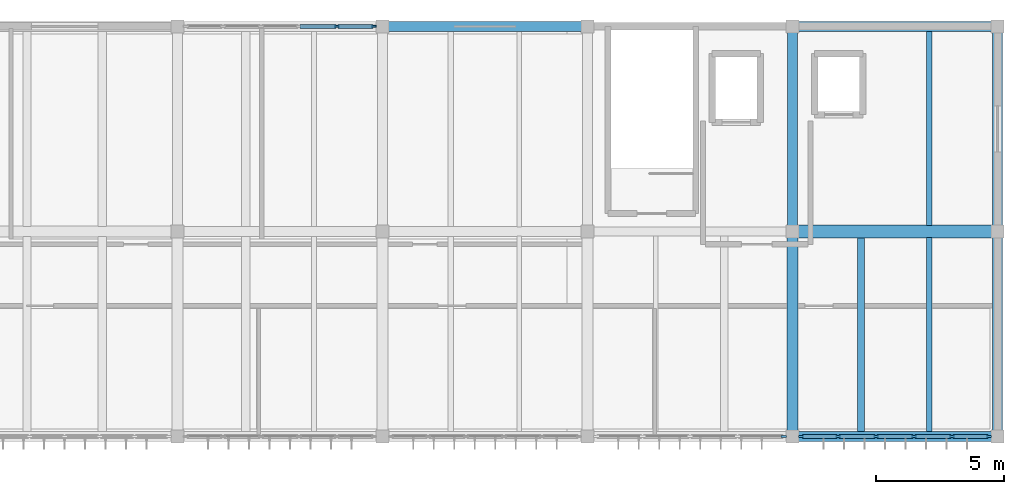
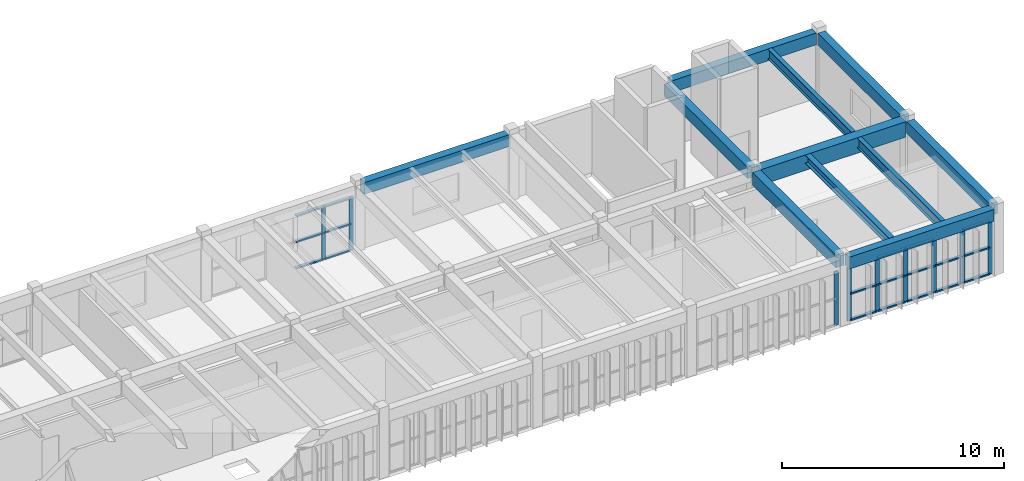
# One storey, part 6 of 12: 30 members, 11 beams, 3 elements without a shape of their own.
"""IFC4 building model written with IfcOpenShell, lengths in metres."""

from ifc_helpers import new_model, si_unit, direction, frame, origin, origin_2d, place, context, subcontext, project, spatial, rectangle, i_section, extrude, material, material_profile, profile_set, type_object, element, aggregate, save


model = new_model("IFC4")

# Units and contexts
model_context = context("Model", 3, precision=1e-05, world=origin(), true_north=direction((0.0, 1.0)))
body_context = subcontext(model_context, "Body", "Model", "MODEL_VIEW")
ifc_project = project(units=[si_unit("LENGTHUNIT", "METRE"), si_unit("AREAUNIT", "SQUARE_METRE"), si_unit("VOLUMEUNIT", "CUBIC_METRE"), si_unit("PLANEANGLEUNIT", "RADIAN"), si_unit("MASSUNIT", "GRAM", prefix="KILO")], contexts=[model_context])

# Site, building, storey
site_placement = place(None, origin())
site = spatial("IfcSite", under=ifc_project, at=site_placement, CompositionType="ELEMENT")
building_placement = place(site_placement, origin())
building = spatial("IfcBuilding", under=site, at=building_placement, Name="Tlaxcora Railside Police Headquarters", CompositionType="ELEMENT")
storey_placement = place(building_placement, frame((0.0, 0.0, 29.699951171875)))
storey = spatial("IfcBuildingStorey", under=building, at=storey_placement, Name="L07", CompositionType="ELEMENT", Elevation=29.699951171875)

# Curtain wall, members
ifc_material_1 = material(Name="Thermally broken low-E insulated glazing", Category="glass")
curtain_wall_type_1 = type_object("IfcCurtainWallType", Name="Unitised Curtain Wall Assembly CW-23", PredefinedType="NOTDEFINED", material=ifc_material_1)
curtain_wall_1_placement = place(storey_placement, origin())
curtain_wall_1 = element("IfcCurtainWall", 1, at=curtain_wall_1_placement, inside=storey, type_object=curtain_wall_type_1, Name="V5 L07 curtain wall 140", PredefinedType="NOTDEFINED")
ifc_material_2 = material(Name="Anodised aluminium framing", Category="aluminium")
ifc_material_profile_1 = material_profile(ifc_material_2, rectangle(XDim=0.080078125, YDim=0.219970703125, at=origin_2d()), Name="AL80X220")
ifc_profile_set_1 = profile_set([ifc_material_profile_1], Name="Anodised aluminium framing")
member_type_1 = type_object("IfcMemberType", Name="Curtain Wall Mullion CW-31", PredefinedType="MULLION", material=ifc_profile_set_1)
member_1_placement = place(storey_placement, frame((78.340087890625, 76.800048828125, 0.0), z_axis=(0.0, 0.0, 1.0), x_axis=(0.0, 1.0, 0.0)))
member_1 = element("IfcMember", 2, at=member_1_placement, type_object=member_type_1, Name="CW mullion 1", PredefinedType="MULLION", context=body_context, shape_type="SweptSolid", body=[
    extrude(rectangle(XDim=0.080078125, YDim=0.219970703125, at=origin_2d()), origin(), (0.0, 0.0, 1.0), 2.9599609375),
])
member_2_placement = place(storey_placement, frame((79.780029296875, 76.800048828125, 0.0), z_axis=(0.0, 0.0, 1.0), x_axis=(0.0, 1.0, 0.0)))
member_2 = element("IfcMember", 3, at=member_2_placement, type_object=member_type_1, Name="CW mullion 2", PredefinedType="MULLION", context=body_context, shape_type="SweptSolid", body=[
    extrude(rectangle(XDim=0.080078125, YDim=0.219970703125, at=origin_2d()), origin(), (0.0, 0.0, 1.0), 2.9599609375),
])
member_3_placement = place(storey_placement, frame((81.260009765625, 76.800048828125, 0.0), z_axis=(0.0, 0.0, 1.0), x_axis=(0.0, 1.0, 0.0)))
member_3 = element("IfcMember", 4, at=member_3_placement, type_object=member_type_1, Name="CW mullion 3", PredefinedType="MULLION", context=body_context, shape_type="SweptSolid", body=[
    extrude(rectangle(XDim=0.080078125, YDim=0.219970703125, at=origin_2d()), origin(), (0.0, 0.0, 1.0), 2.9599609375),
])
member_4_placement = place(storey_placement, frame((82.739990234375, 76.800048828125, 0.0), z_axis=(0.0, 0.0, 1.0), x_axis=(0.0, 1.0, 0.0)))
member_4 = element("IfcMember", 5, at=member_4_placement, type_object=member_type_1, Name="CW mullion 4", PredefinedType="MULLION", context=body_context, shape_type="SweptSolid", body=[
    extrude(rectangle(XDim=0.080078125, YDim=0.219970703125, at=origin_2d()), origin(), (0.0, 0.0, 1.0), 2.9599609375),
])
member_5_placement = place(storey_placement, frame((84.219970703125, 76.800048828125, 0.0), z_axis=(0.0, 0.0, 1.0), x_axis=(0.0, 1.0, 0.0)))
member_5 = element("IfcMember", 6, at=member_5_placement, type_object=member_type_1, Name="CW mullion 5", PredefinedType="MULLION", context=body_context, shape_type="SweptSolid", body=[
    extrude(rectangle(XDim=0.080078125, YDim=0.219970703125, at=origin_2d()), origin(), (0.0, 0.0, 1.0), 2.9599609375),
])
member_6_placement = place(storey_placement, frame((85.659912109375, 76.800048828125, 0.0), z_axis=(0.0, 0.0, 1.0), x_axis=(0.0, 1.0, 0.0)))
member_6 = element("IfcMember", 7, at=member_6_placement, type_object=member_type_1, Name="CW mullion 6", PredefinedType="MULLION", context=body_context, shape_type="SweptSolid", body=[
    extrude(rectangle(XDim=0.080078125, YDim=0.219970703125, at=origin_2d()), origin(), (0.0, 0.0, 1.0), 2.9599609375),
])

curtain_wall_type_2 = type_object("IfcCurtainWallType", Name="Unitised Curtain Wall Assembly CW-38", PredefinedType="NOTDEFINED", material=ifc_material_1)
curtain_wall_2_placement = place(storey_placement, origin())
curtain_wall_2 = element("IfcCurtainWall", 8, at=curtain_wall_2_placement, inside=storey, type_object=curtain_wall_type_2, Name="V5 L07 curtain wall 141", PredefinedType="NOTDEFINED")
ifc_material_profile_2 = material_profile(ifc_material_2, rectangle(XDim=0.074951171875, YDim=0.205078125, at=origin_2d()), Name="AL75X205")
ifc_profile_set_2 = profile_set([ifc_material_profile_2], Name="Anodised aluminium framing")
member_type_2 = type_object("IfcMemberType", Name="Curtain Wall Mullion CW-32", PredefinedType="MULLION", material=ifc_profile_set_2)
member_7_placement = place(storey_placement, frame((61.66259765625, 92.800048828125, 0.0), z_axis=(0.0, 0.0, 1.0), x_axis=(0.0, -1.0, 0.0)))
member_7 = element("IfcMember", 9, at=member_7_placement, type_object=member_type_2, Name="CW mullion 1", PredefinedType="MULLION", context=body_context, shape_type="SweptSolid", body=[
    extrude(rectangle(XDim=0.074951171875, YDim=0.205078125, at=origin_2d()), origin(), (0.0, 0.0, 1.0), 2.9599609375),
])
member_8_placement = place(storey_placement, frame((60.219970703125, 92.800048828125, 0.0), z_axis=(0.0, 0.0, 1.0), x_axis=(0.0, -1.0, 0.0)))
member_8 = element("IfcMember", 10, at=member_8_placement, type_object=member_type_2, Name="CW mullion 2", PredefinedType="MULLION", context=body_context, shape_type="SweptSolid", body=[
    extrude(rectangle(XDim=0.074951171875, YDim=0.205078125, at=origin_2d()), origin(), (0.0, 0.0, 1.0), 2.9599609375),
])

# Curtain wall, member
curtain_wall_type_3 = type_object("IfcCurtainWallType", Name="Unitised Curtain Wall Assembly CW-83", PredefinedType="NOTDEFINED", material=ifc_material_1)
curtain_wall_3_placement = place(storey_placement, origin())
curtain_wall_3 = element("IfcCurtainWall", 11, at=curtain_wall_3_placement, inside=storey, type_object=curtain_wall_type_3, Name="V5 L07 curtain wall 139", PredefinedType="NOTDEFINED")
ifc_material_profile_3 = material_profile(ifc_material_2, rectangle(XDim=0.080078125, YDim=0.2099609375, at=origin_2d()), Name="AL80X210")
ifc_profile_set_3 = profile_set([ifc_material_profile_3], Name="Anodised aluminium framing")
member_type_3 = type_object("IfcMemberType", Name="Curtain Wall Mullion CW-76", PredefinedType="MULLION", material=ifc_profile_set_3)
member_9_placement = place(storey_placement, frame((77.659912109375, 76.800048828125, 0.0), z_axis=(0.0, 0.0, 1.0), x_axis=(0.0, 1.0, 0.0)))
member_9 = element("IfcMember", 12, at=member_9_placement, type_object=member_type_3, Name="CW mullion 5", PredefinedType="MULLION", context=body_context, shape_type="SweptSolid", body=[
    extrude(rectangle(XDim=0.080078125, YDim=0.2099609375, at=origin_2d()), origin(), (0.0, 0.0, 1.0), 2.9599609375),
])
aggregate(curtain_wall_3, [member_9])

# Member
ifc_material_profile_4 = material_profile(ifc_material_2, rectangle(XDim=0.155029296875, YDim=0.074951171875, at=origin_2d()), Name="AL75X155")
ifc_profile_set_4 = profile_set([ifc_material_profile_4], Name="Anodised aluminium framing")
member_type_4 = type_object("IfcMemberType", Name="Curtain Wall Transom CW-30", PredefinedType="USERDEFINED", material=ifc_profile_set_4)
member_10_placement = place(storey_placement, frame((61.625, 92.800048828125, 0.03759765625), z_axis=(-1.0, 0.0, 0.0), x_axis=(0.0, -1.0, 0.0)))
member_10 = element("IfcMember", 13, at=member_10_placement, type_object=member_type_4, Name="CW transom 1.1", ObjectType="TRANSOM", PredefinedType="USERDEFINED", context=body_context, shape_type="SweptSolid", body=[
    extrude(rectangle(XDim=0.155029296875, YDim=0.074951171875, at=origin_2d()), origin(), (0.0, 0.0, 1.0), 1.367431640625),
])

member_11_placement = place(storey_placement, frame((61.625, 92.800048828125, 1.489990234375), z_axis=(-1.0, 0.0, 0.0), x_axis=(0.0, -1.0, 0.0)))
member_11 = element("IfcMember", 14, at=member_11_placement, type_object=member_type_4, Name="CW transom 1.2", ObjectType="TRANSOM", PredefinedType="USERDEFINED", context=body_context, shape_type="SweptSolid", body=[
    extrude(rectangle(XDim=0.155029296875, YDim=0.074951171875, at=origin_2d()), origin(), (0.0, 0.0, 1.0), 1.367431640625),
])

member_12_placement = place(storey_placement, frame((61.625, 92.800048828125, 2.922607421875), z_axis=(-1.0, 0.0, 0.0), x_axis=(0.0, -1.0, 0.0)))
member_12 = element("IfcMember", 15, at=member_12_placement, type_object=member_type_4, Name="CW transom 1.3", ObjectType="TRANSOM", PredefinedType="USERDEFINED", context=body_context, shape_type="SweptSolid", body=[
    extrude(rectangle(XDim=0.155029296875, YDim=0.074951171875, at=origin_2d()), origin(), (0.0, 0.0, 1.0), 1.367431640625),
])

member_13_placement = place(storey_placement, frame((60.1826171875, 92.800048828125, 0.03759765625), z_axis=(-1.0, 0.0, 0.0), x_axis=(0.0, -1.0, 0.0)))
member_13 = element("IfcMember", 16, at=member_13_placement, type_object=member_type_4, Name="CW transom 2.1", ObjectType="TRANSOM", PredefinedType="USERDEFINED", context=body_context, shape_type="SweptSolid", body=[
    extrude(rectangle(XDim=0.155029296875, YDim=0.074951171875, at=origin_2d()), origin(), (0.0, 0.0, 1.0), 1.405029296875),
])

member_14_placement = place(storey_placement, frame((60.1826171875, 92.800048828125, 1.489990234375), z_axis=(-1.0, 0.0, 0.0), x_axis=(0.0, -1.0, 0.0)))
member_14 = element("IfcMember", 17, at=member_14_placement, type_object=member_type_4, Name="CW transom 2.2", ObjectType="TRANSOM", PredefinedType="USERDEFINED", context=body_context, shape_type="SweptSolid", body=[
    extrude(rectangle(XDim=0.155029296875, YDim=0.074951171875, at=origin_2d()), origin(), (0.0, 0.0, 1.0), 1.405029296875),
])

member_15_placement = place(storey_placement, frame((60.1826171875, 92.800048828125, 2.922607421875), z_axis=(-1.0, 0.0, 0.0), x_axis=(0.0, -1.0, 0.0)))
member_15 = element("IfcMember", 18, at=member_15_placement, type_object=member_type_4, Name="CW transom 2.3", ObjectType="TRANSOM", PredefinedType="USERDEFINED", context=body_context, shape_type="SweptSolid", body=[
    extrude(rectangle(XDim=0.155029296875, YDim=0.074951171875, at=origin_2d()), origin(), (0.0, 0.0, 1.0), 1.405029296875),
])

aggregate(curtain_wall_2, [member_7, member_8, member_10, member_11, member_12, member_13, member_14, member_15])

ifc_material_profile_5 = material_profile(ifc_material_2, rectangle(XDim=0.1650390625, YDim=0.080078125, at=origin_2d()), Name="AL80X165")
ifc_profile_set_5 = profile_set([ifc_material_profile_5], Name="Anodised aluminium framing")
member_type_5 = type_object("IfcMemberType", Name="Curtain Wall Transom CW-62", PredefinedType="USERDEFINED", material=ifc_profile_set_5)
member_16_placement = place(storey_placement, frame((78.3798828125, 76.800048828125, 0.0400390625), z_axis=(1.0, 0.0, 0.0), x_axis=(0.0, 1.0, 0.0)))
member_16 = element("IfcMember", 19, at=member_16_placement, type_object=member_type_5, Name="CW transom 1.1", ObjectType="TRANSOM", PredefinedType="USERDEFINED", context=body_context, shape_type="SweptSolid", body=[
    extrude(rectangle(XDim=0.1650390625, YDim=0.080078125, at=origin_2d()), origin(), (0.0, 0.0, 1.0), 1.360107421875),
])

member_17_placement = place(storey_placement, frame((78.3798828125, 76.800048828125, 1.489990234375), z_axis=(1.0, 0.0, 0.0), x_axis=(0.0, 1.0, 0.0)))
member_17 = element("IfcMember", 20, at=member_17_placement, type_object=member_type_5, Name="CW transom 1.2", ObjectType="TRANSOM", PredefinedType="USERDEFINED", context=body_context, shape_type="SweptSolid", body=[
    extrude(rectangle(XDim=0.1650390625, YDim=0.080078125, at=origin_2d()), origin(), (0.0, 0.0, 1.0), 1.360107421875),
])

member_18_placement = place(storey_placement, frame((78.3798828125, 76.800048828125, 2.920166015625), z_axis=(1.0, 0.0, 0.0), x_axis=(0.0, 1.0, 0.0)))
member_18 = element("IfcMember", 21, at=member_18_placement, type_object=member_type_5, Name="CW transom 1.3", ObjectType="TRANSOM", PredefinedType="USERDEFINED", context=body_context, shape_type="SweptSolid", body=[
    extrude(rectangle(XDim=0.1650390625, YDim=0.080078125, at=origin_2d()), origin(), (0.0, 0.0, 1.0), 1.360107421875),
])

member_19_placement = place(storey_placement, frame((79.820068359375, 76.800048828125, 0.0400390625), z_axis=(1.0, 0.0, 0.0), x_axis=(0.0, 1.0, 0.0)))
member_19 = element("IfcMember", 22, at=member_19_placement, type_object=member_type_5, Name="CW transom 2.1", ObjectType="TRANSOM", PredefinedType="USERDEFINED", context=body_context, shape_type="SweptSolid", body=[
    extrude(rectangle(XDim=0.1650390625, YDim=0.080078125, at=origin_2d()), origin(), (0.0, 0.0, 1.0), 1.39990234375),
])

member_20_placement = place(storey_placement, frame((79.820068359375, 76.800048828125, 1.489990234375), z_axis=(1.0, 0.0, 0.0), x_axis=(0.0, 1.0, 0.0)))
member_20 = element("IfcMember", 23, at=member_20_placement, type_object=member_type_5, Name="CW transom 2.2", ObjectType="TRANSOM", PredefinedType="USERDEFINED", context=body_context, shape_type="SweptSolid", body=[
    extrude(rectangle(XDim=0.1650390625, YDim=0.080078125, at=origin_2d()), origin(), (0.0, 0.0, 1.0), 1.39990234375),
])

member_21_placement = place(storey_placement, frame((79.820068359375, 76.800048828125, 2.920166015625), z_axis=(1.0, 0.0, 0.0), x_axis=(0.0, 1.0, 0.0)))
member_21 = element("IfcMember", 24, at=member_21_placement, type_object=member_type_5, Name="CW transom 2.3", ObjectType="TRANSOM", PredefinedType="USERDEFINED", context=body_context, shape_type="SweptSolid", body=[
    extrude(rectangle(XDim=0.1650390625, YDim=0.080078125, at=origin_2d()), origin(), (0.0, 0.0, 1.0), 1.39990234375),
])

member_22_placement = place(storey_placement, frame((81.300048828125, 76.800048828125, 0.0400390625), z_axis=(1.0, 0.0, 0.0), x_axis=(0.0, 1.0, 0.0)))
member_22 = element("IfcMember", 25, at=member_22_placement, type_object=member_type_5, Name="CW transom 3.1", ObjectType="TRANSOM", PredefinedType="USERDEFINED", context=body_context, shape_type="SweptSolid", body=[
    extrude(rectangle(XDim=0.1650390625, YDim=0.080078125, at=origin_2d()), origin(), (0.0, 0.0, 1.0), 1.39990234375),
])

member_23_placement = place(storey_placement, frame((81.300048828125, 76.800048828125, 1.489990234375), z_axis=(1.0, 0.0, 0.0), x_axis=(0.0, 1.0, 0.0)))
member_23 = element("IfcMember", 26, at=member_23_placement, type_object=member_type_5, Name="CW transom 3.2", ObjectType="TRANSOM", PredefinedType="USERDEFINED", context=body_context, shape_type="SweptSolid", body=[
    extrude(rectangle(XDim=0.1650390625, YDim=0.080078125, at=origin_2d()), origin(), (0.0, 0.0, 1.0), 1.39990234375),
])

member_24_placement = place(storey_placement, frame((81.300048828125, 76.800048828125, 2.920166015625), z_axis=(1.0, 0.0, 0.0), x_axis=(0.0, 1.0, 0.0)))
member_24 = element("IfcMember", 27, at=member_24_placement, type_object=member_type_5, Name="CW transom 3.3", ObjectType="TRANSOM", PredefinedType="USERDEFINED", context=body_context, shape_type="SweptSolid", body=[
    extrude(rectangle(XDim=0.1650390625, YDim=0.080078125, at=origin_2d()), origin(), (0.0, 0.0, 1.0), 1.39990234375),
])

member_25_placement = place(storey_placement, frame((82.780029296875, 76.800048828125, 0.0400390625), z_axis=(1.0, 0.0, 0.0), x_axis=(0.0, 1.0, 0.0)))
member_25 = element("IfcMember", 28, at=member_25_placement, type_object=member_type_5, Name="CW transom 4.1", ObjectType="TRANSOM", PredefinedType="USERDEFINED", context=body_context, shape_type="SweptSolid", body=[
    extrude(rectangle(XDim=0.1650390625, YDim=0.080078125, at=origin_2d()), origin(), (0.0, 0.0, 1.0), 1.39990234375),
])

member_26_placement = place(storey_placement, frame((82.780029296875, 76.800048828125, 1.489990234375), z_axis=(1.0, 0.0, 0.0), x_axis=(0.0, 1.0, 0.0)))
member_26 = element("IfcMember", 29, at=member_26_placement, type_object=member_type_5, Name="CW transom 4.2", ObjectType="TRANSOM", PredefinedType="USERDEFINED", context=body_context, shape_type="SweptSolid", body=[
    extrude(rectangle(XDim=0.1650390625, YDim=0.080078125, at=origin_2d()), origin(), (0.0, 0.0, 1.0), 1.39990234375),
])

member_27_placement = place(storey_placement, frame((82.780029296875, 76.800048828125, 2.920166015625), z_axis=(1.0, 0.0, 0.0), x_axis=(0.0, 1.0, 0.0)))
member_27 = element("IfcMember", 30, at=member_27_placement, type_object=member_type_5, Name="CW transom 4.3", ObjectType="TRANSOM", PredefinedType="USERDEFINED", context=body_context, shape_type="SweptSolid", body=[
    extrude(rectangle(XDim=0.1650390625, YDim=0.080078125, at=origin_2d()), origin(), (0.0, 0.0, 1.0), 1.39990234375),
])

member_28_placement = place(storey_placement, frame((84.260009765625, 76.800048828125, 0.0400390625), z_axis=(1.0, 0.0, 0.0), x_axis=(0.0, 1.0, 0.0)))
member_28 = element("IfcMember", 31, at=member_28_placement, type_object=member_type_5, Name="CW transom 5.1", ObjectType="TRANSOM", PredefinedType="USERDEFINED", context=body_context, shape_type="SweptSolid", body=[
    extrude(rectangle(XDim=0.1650390625, YDim=0.080078125, at=origin_2d()), origin(), (0.0, 0.0, 1.0), 1.360107421875),
])

member_29_placement = place(storey_placement, frame((84.260009765625, 76.800048828125, 1.489990234375), z_axis=(1.0, 0.0, 0.0), x_axis=(0.0, 1.0, 0.0)))
member_29 = element("IfcMember", 32, at=member_29_placement, type_object=member_type_5, Name="CW transom 5.2", ObjectType="TRANSOM", PredefinedType="USERDEFINED", context=body_context, shape_type="SweptSolid", body=[
    extrude(rectangle(XDim=0.1650390625, YDim=0.080078125, at=origin_2d()), origin(), (0.0, 0.0, 1.0), 1.360107421875),
])

member_30_placement = place(storey_placement, frame((84.260009765625, 76.800048828125, 2.920166015625), z_axis=(1.0, 0.0, 0.0), x_axis=(0.0, 1.0, 0.0)))
member_30 = element("IfcMember", 33, at=member_30_placement, type_object=member_type_5, Name="CW transom 5.3", ObjectType="TRANSOM", PredefinedType="USERDEFINED", context=body_context, shape_type="SweptSolid", body=[
    extrude(rectangle(XDim=0.1650390625, YDim=0.080078125, at=origin_2d()), origin(), (0.0, 0.0, 1.0), 1.360107421875),
])

aggregate(curtain_wall_1, [member_1, member_2, member_3, member_4, member_5, member_6, member_16, member_17, member_18, member_19, member_20, member_21, member_22, member_23, member_24, member_25, member_26, member_27, member_28, member_29, member_30])

# Beams
ifc_material_3 = material(Name="Concrete C40/50", Category="concrete")
ifc_material_profile_6 = material_profile(ifc_material_3, rectangle(XDim=0.39990234375, YDim=0.64990234375, at=origin_2d()), Name="RC400X650")
ifc_profile_set_6 = profile_set([ifc_material_profile_6], Name="Concrete C40/50")
beam_type_1 = type_object("IfcBeamType", Name="Perimeter Spandrel Beam BM-46", PredefinedType="SPANDREL", material=ifc_profile_set_6)
for number, where, z_axis, x_axis, name in (
    (34, (78.239990234375, 76.800048828125, 3.304931640625), (1.0, 0.0, 0.0), (0.0, 1.0, 0.0), "V5 L07 X-girder Y=76.8"),
    (35, (62.239990234375, 92.800048828125, 3.304931640625), (1.0, 0.0, 0.0), (0.0, 1.0, 0.0), "V5 L07 X-girder Y=92.8"),
    (36, (78.239990234375, 92.800048828125, 3.304931640625), (1.0, 0.0, 0.0), (0.0, 1.0, 0.0), "V5 L07 X-girder Y=92.8"),
    (37, (86.0, 77.0400390625, 3.304931640625), (0.0, 1.0, 0.0), (-1.0, 0.0, 0.0), "V5 L07 Y-girder X=86.0"),
    (38, (86.0, 85.0400390625, 3.304931640625), (0.0, 1.0, 0.0), (-1.0, 0.0, 0.0), "V5 L07 Y-girder X=86.0"),
):
    element("IfcBeam", number, at=place(storey_placement, frame(where, z_axis=z_axis, x_axis=x_axis)), inside=storey, type_object=beam_type_1, Name=name, PredefinedType="SPANDREL", context=body_context, shape_type="SweptSolid", body=[
        extrude(rectangle(XDim=0.39990234375, YDim=0.64990234375, at=origin_2d()), origin(), (0.0, 0.0, 1.0), 7.52001953125),
    ])
ifc_material_profile_7 = material_profile(ifc_material_3, rectangle(XDim=0.419921875, YDim=0.699951171875, at=origin_2d()), Name="RC420X700")
ifc_profile_set_7 = profile_set([ifc_material_profile_7], Name="Concrete C40/50")
beam_type_2 = type_object("IfcBeamType", Name="Primary Frame Girder BM-35", PredefinedType="BEAM", material=ifc_profile_set_7)
beam_1_placement = place(storey_placement, frame((78.0, 77.0400390625, 3.280029296875), z_axis=(0.0, 1.0, 0.0), x_axis=(-1.0, 0.0, 0.0)))
element("IfcBeam", 39, at=beam_1_placement, inside=storey, type_object=beam_type_2, Name="V5 L07 Y-girder X=78.0", PredefinedType="BEAM", context=body_context, shape_type="SweptSolid", body=[
    extrude(rectangle(XDim=0.419921875, YDim=0.699951171875, at=origin_2d()), origin(), (0.0, 0.0, 1.0), 7.52001953125),
])
ifc_material_profile_8 = material_profile(ifc_material_3, rectangle(XDim=0.39990234375, YDim=0.64990234375, at=origin_2d()), Name="RC400X650")
ifc_profile_set_8 = profile_set([ifc_material_profile_8], Name="Concrete C40/50")
beam_type_3 = type_object("IfcBeamType", Name="Primary Frame Girder BM-41", PredefinedType="BEAM", material=ifc_profile_set_8)
beam_2_placement = place(storey_placement, frame((78.0, 85.0400390625, 3.304931640625), z_axis=(0.0, 1.0, 0.0), x_axis=(-1.0, 0.0, 0.0)))
element("IfcBeam", 40, at=beam_2_placement, inside=storey, type_object=beam_type_3, Name="V5 L07 Y-girder X=78.0", PredefinedType="BEAM", context=body_context, shape_type="SweptSolid", body=[
    extrude(rectangle(XDim=0.39990234375, YDim=0.64990234375, at=origin_2d()), origin(), (0.0, 0.0, 1.0), 7.52001953125),
])
ifc_material_profile_9 = material_profile(ifc_material_3, rectangle(XDim=0.5, YDim=0.85009765625, at=origin_2d()), Name="RC500X850")
ifc_profile_set_9 = profile_set([ifc_material_profile_9], Name="Concrete C40/50")
beam_type_4 = type_object("IfcBeamType", Name="Primary Frame Girder BM-64", PredefinedType="BEAM", material=ifc_profile_set_9)
beam_3_placement = place(storey_placement, frame((78.239990234375, 84.800048828125, 3.205078125), z_axis=(1.0, 0.0, 0.0), x_axis=(0.0, 1.0, 0.0)))
element("IfcBeam", 41, at=beam_3_placement, inside=storey, type_object=beam_type_4, Name="V5 L07 X-girder Y=84.8", PredefinedType="BEAM", context=body_context, shape_type="SweptSolid", body=[
    extrude(rectangle(XDim=0.5, YDim=0.85009765625, at=origin_2d()), origin(), (0.0, 0.0, 1.0), 7.52001953125),
])
ifc_material_4 = material(Name="Steel ASTM A992 Grade 50", Category="steel")
ifc_material_profile_10 = material_profile(ifc_material_4, i_section(OverallWidth=0.280029296875, OverallDepth=0.4619140625, WebThickness=0.0107421875, FlangeThickness=0.017333984375, at=origin_2d()), Name="W18X76")
ifc_profile_set_10 = profile_set([ifc_material_profile_10], Name="Steel ASTM A992 Grade 50")
beam_type_5 = type_object("IfcBeamType", Name="Secondary Floor Joist BM-44", PredefinedType="JOIST", material=ifc_profile_set_10)
beam_4_placement = place(storey_placement, frame((80.666748046875, 76.991943359375, 3.399169921875), z_axis=(0.0, 1.0, 0.0), x_axis=(-1.0, 0.0, 0.0)))
element("IfcBeam", 42, at=beam_4_placement, inside=storey, type_object=beam_type_5, Name="V5 L07 floor joist X=80.67", PredefinedType="JOIST", context=body_context, shape_type="SweptSolid", body=[
    extrude(i_section(OverallWidth=0.280029296875, OverallDepth=0.4619140625, WebThickness=0.0107421875, FlangeThickness=0.017333984375, at=origin_2d()), origin(), (0.0, 0.0, 1.0), 7.566162109375),
])
ifc_material_profile_11 = material_profile(ifc_material_4, i_section(OverallWidth=0.214111328125, OverallDepth=0.549072265625, WebThickness=0.0146484375, FlangeThickness=0.023681640625, at=origin_2d()), Name="W21X93")
ifc_profile_set_11 = profile_set([ifc_material_profile_11], Name="Steel ASTM A992 Grade 50")
beam_type_6 = type_object("IfcBeamType", Name="Secondary Floor Joist BM-97", PredefinedType="JOIST", material=ifc_profile_set_11)
beam_5_placement = place(storey_placement, frame((83.333251953125, 76.991943359375, 3.35546875), z_axis=(0.0, 1.0, 0.0), x_axis=(-1.0, 0.0, 0.0)))
element("IfcBeam", 43, at=beam_5_placement, inside=storey, type_object=beam_type_6, Name="V5 L07 floor joist X=83.33", PredefinedType="JOIST", context=body_context, shape_type="SweptSolid", body=[
    extrude(i_section(OverallWidth=0.214111328125, OverallDepth=0.549072265625, WebThickness=0.0146484375, FlangeThickness=0.023681640625, at=origin_2d()), origin(), (0.0, 0.0, 1.0), 7.566162109375),
])
beam_6_placement = place(storey_placement, frame((83.333251953125, 85.0419921875, 3.35546875), z_axis=(0.0, 1.0, 0.0), x_axis=(-1.0, 0.0, 0.0)))
element("IfcBeam", 44, at=beam_6_placement, inside=storey, type_object=beam_type_6, Name="V5 L07 floor joist X=83.33", PredefinedType="JOIST", context=body_context, shape_type="SweptSolid", body=[
    extrude(i_section(OverallWidth=0.214111328125, OverallDepth=0.549072265625, WebThickness=0.0146484375, FlangeThickness=0.023681640625, at=origin_2d()), origin(), (0.0, 0.0, 1.0), 7.56591796875),
])

save(model, "model.ifc")
